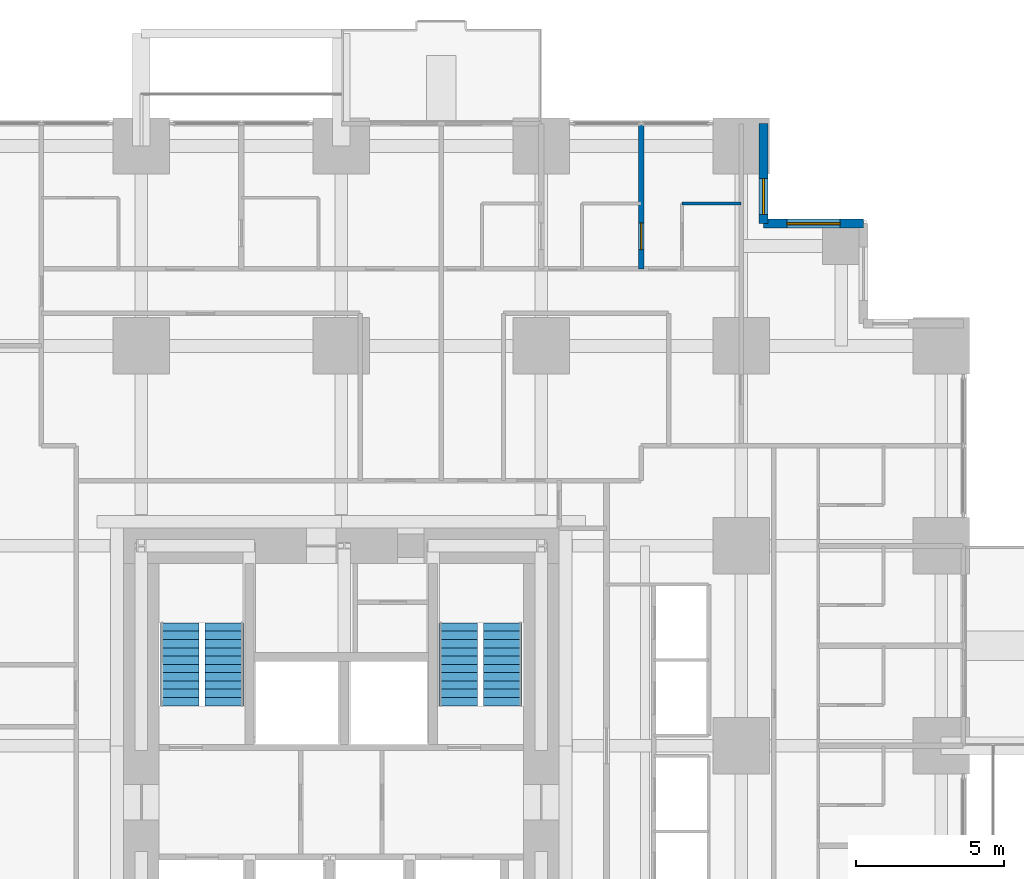
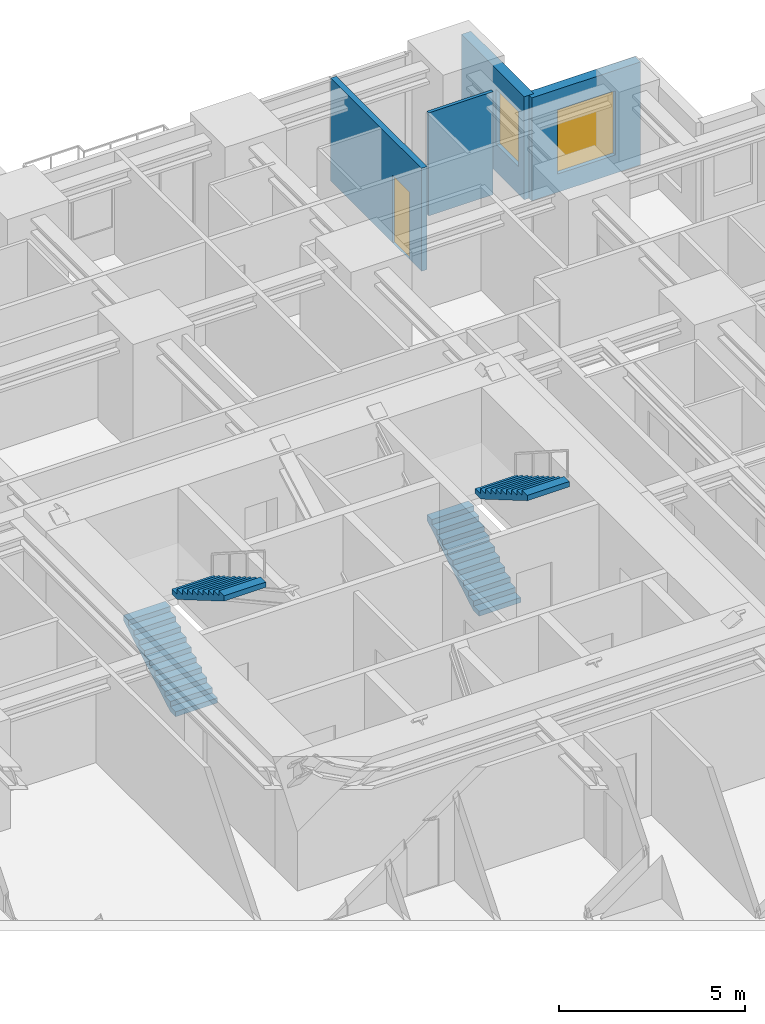
# One storey, part 14 of 15: 4 stair flights, 4 walls, 2 windows, 1 door, 3 openings, 2 elements without a shape of their own.
"""IFC4 building model written with IfcOpenShell, lengths in metres."""

from ifc_helpers import new_model, si_unit, direction, frame, frame_2d, origin, place, context, subcontext, project, spatial, polyline, rectangle, outline, extrude, material, layer, layer_set, type_object, element, fill, aggregate, save


model = new_model("IFC4")

# Units and contexts
model_context = context("Model", 3, precision=1e-05, world=origin(), true_north=direction((0.0, 1.0)))
body_context = subcontext(model_context, "Body", "Model", "MODEL_VIEW")
ifc_project = project(units=[si_unit("LENGTHUNIT", "METRE"), si_unit("AREAUNIT", "SQUARE_METRE"), si_unit("VOLUMEUNIT", "CUBIC_METRE"), si_unit("PLANEANGLEUNIT", "RADIAN"), si_unit("MASSUNIT", "GRAM", prefix="KILO")], contexts=[model_context])

# Site, building, storey
site_placement = place(None, origin())
site = spatial("IfcSite", under=ifc_project, at=site_placement, CompositionType="ELEMENT")
building_placement = place(site_placement, origin())
building = spatial("IfcBuilding", under=site, at=building_placement, Name="Nyansa Garden Tower", CompositionType="ELEMENT")
storey_placement = place(building_placement, frame((0.0, 0.0, 36.0)))
storey = spatial("IfcBuildingStorey", under=building, at=storey_placement, Name="L09", CompositionType="ELEMENT", Elevation=36.0)

# Wall, opening, door
ifc_material_1 = material(Name="Dense blockwork, plastered both sides, 55 dB", Category="masonry")
ifc_layer_1 = layer(ifc_material_1, 0.175048828125)
ifc_layer_set_1 = layer_set([ifc_layer_1], Name="Acoustic party wall PW175")
wall_type_1 = type_object("IfcWallType", Name="Acoustic party wall PW175", PredefinedType="PARTITIONING", material=ifc_layer_set_1)
wall_1_placement = place(storey_placement, frame((30.375, 36.35009765625, 0.0), z_axis=(0.0, 0.0, 1.0), x_axis=(0.0, 1.0, 0.0)))
wall_1 = element("IfcWall", 1, at=wall_1_placement, inside=storey, type_object=wall_type_1, Name="Party wall", PredefinedType="PARTITIONING", context=body_context, shape_type="SweptSolid", body=[
    extrude(rectangle(XDim=4.8837890625, YDim=0.175048828125, at=frame_2d((2.44189453125, 0.0))), origin(), (0.0, 0.0, 1.0), 3.375),
])
opening_1_placement = place(wall_1_placement, frame((0.64990234375, 0.0, 0.0)))
opening_1 = element("IfcOpeningElement", 2, at=opening_1_placement, cuts=wall_1, Name="Opening D02", PredefinedType="OPENING", context=body_context, shape_type="SweptSolid", body=[
    extrude(rectangle(XDim=0.89990234375, YDim=2.199951171875, at=frame_2d((0.449951171875, 1.10009765625))), frame((0.0, 0.097412109375, 0.0), z_axis=(0.0, -1.0, 0.0), x_axis=(1.0, 0.0, 0.0)), (0.0, 0.0, 1.0), 0.195068359375),
])
ifc_material_2 = material(Name="Timber flush door", Category="wood")
door_type = type_object("IfcDoorType", Name="En-suite door D02 900x2200", OperationType="SINGLE_SWING_RIGHT", PredefinedType="DOOR", material=ifc_material_2)
door_placement = place(opening_1_placement, origin())
door = element("IfcDoor", 3, at=door_placement, inside=storey, type_object=door_type, Name="Door L09-058", OperationType="SINGLE_SWING_RIGHT", OverallHeight=2.199951171875, OverallWidth=0.89990234375, PredefinedType="DOOR", context=body_context, shape_type="SweptSolid", body=[
    extrude(rectangle(XDim=0.89990234375, YDim=2.199951171875, at=frame_2d((0.449951171875, 1.10009765625))), frame((0.0, 0.02490234375, 0.0), z_axis=(0.0, -1.0, 0.0), x_axis=(1.0, 0.0, 0.0)), (0.0, 0.0, 1.0), 0.050048828125),
])
fill(opening_1, door)

# Wall, opening, window
ifc_material_3 = material(Name="Turquoise glazed tile on concrete blockwork", Category="masonry")
ifc_layer_2 = layer(ifc_material_3, 0.300048828125)
ifc_layer_set_2 = layer_set([ifc_layer_2], Name="Tiled corner wall TW300")
wall_type_2 = type_object("IfcWallType", Name="Tiled corner wall TW300", PredefinedType="SOLIDWALL", material=ifc_layer_set_2)
wall_2_placement = place(storey_placement, frame((37.875, 37.875, 0.0), z_axis=(0.0, 0.0, 1.0), x_axis=(-1.0, 0.0, 0.0)))
wall_2 = element("IfcWall", 4, at=wall_2_placement, inside=storey, type_object=wall_type_2, Name="Tiled corner wall L09", PredefinedType="SOLIDWALL", context=body_context, shape_type="SweptSolid", body=[
    extrude(rectangle(XDim=3.375, YDim=0.300048828125, at=frame_2d((1.6875, 0.0))), origin(), (0.0, 0.0, 1.0), 3.375),
])
opening_2_placement = place(wall_2_placement, frame((0.78759765625, 0.0, 0.60009765625)))
opening_2 = element("IfcOpeningElement", 5, at=opening_2_placement, cuts=wall_2, Name="Opening W2", PredefinedType="OPENING", context=body_context, shape_type="SweptSolid", body=[
    extrude(rectangle(XDim=1.800048828125, YDim=2.10009765625, at=frame_2d((0.89990234375, 1.050048828125))), frame((0.0, 0.159912109375, 0.0), z_axis=(0.0, -1.0, 0.0), x_axis=(1.0, 0.0, 0.0)), (0.0, 0.0, 1.0), 0.320068359375),
])
ifc_material_4 = material(Name="Black aluminium frame, dark tinted double glazing", Category="aluminium")
window_type_1 = type_object("IfcWindowType", Name="Window W2 1800x2100", PartitioningType="SINGLE_PANEL", PredefinedType="WINDOW", material=ifc_material_4)
window_1_placement = place(opening_2_placement, origin())
window_1 = element("IfcWindow", 6, at=window_1_placement, inside=storey, type_object=window_type_1, Name="Corner window L09", OverallHeight=2.10009765625, OverallWidth=1.800048828125, PartitioningType="SINGLE_PANEL", PredefinedType="WINDOW", context=body_context, shape_type="SweptSolid", body=[
    extrude(rectangle(XDim=1.800048828125, YDim=2.10009765625, at=frame_2d((0.89990234375, 1.050048828125))), frame((0.0, 0.030029296875, 0.0), z_axis=(0.0, -1.0, 0.0), x_axis=(1.0, 0.0, 0.0)), (0.0, 0.0, 1.0), 0.06005859375),
])
fill(opening_2, window_1)

wall_3_placement = place(storey_placement, frame((34.5, 37.875, 0.0), z_axis=(0.0, 0.0, 1.0), x_axis=(0.0, 1.0, 0.0)))
wall_3 = element("IfcWall", 7, at=wall_3_placement, inside=storey, type_object=wall_type_2, Name="Tiled corner wall L09", PredefinedType="SOLIDWALL", context=body_context, shape_type="SweptSolid", body=[
    extrude(rectangle(XDim=3.375, YDim=0.300048828125, at=frame_2d((1.6875, 0.0))), origin(), (0.0, 0.0, 1.0), 3.375),
])
opening_3_placement = place(wall_3_placement, frame((0.3173828125, 0.0, 0.89990234375)))
opening_3 = element("IfcOpeningElement", 8, at=opening_3_placement, cuts=wall_3, Name="Opening W4", PredefinedType="OPENING", context=body_context, shape_type="SweptSolid", body=[
    extrude(rectangle(XDim=1.199951171875, YDim=1.800048828125, at=frame_2d((0.60009765625, 0.89990234375))), frame((0.0, 0.159912109375, 0.0), z_axis=(0.0, -1.0, 0.0), x_axis=(1.0, 0.0, 0.0)), (0.0, 0.0, 1.0), 0.320068359375),
])
ifc_material_5 = material(Name="Black aluminium frame, dark tinted double glazing", Category="aluminium")
window_type_2 = type_object("IfcWindowType", Name="Window W4 1200x1800", PartitioningType="SINGLE_PANEL", PredefinedType="WINDOW", material=ifc_material_5)
window_2_placement = place(opening_3_placement, origin())
window_2 = element("IfcWindow", 9, at=window_2_placement, inside=storey, type_object=window_type_2, Name="Corner window L09", OverallHeight=1.800048828125, OverallWidth=1.199951171875, PartitioningType="SINGLE_PANEL", PredefinedType="WINDOW", context=body_context, shape_type="SweptSolid", body=[
    extrude(rectangle(XDim=1.199951171875, YDim=1.800048828125, at=frame_2d((0.60009765625, 0.89990234375))), frame((0.0, 0.030029296875, 0.0), z_axis=(0.0, -1.0, 0.0), x_axis=(1.0, 0.0, 0.0)), (0.0, 0.0, 1.0), 0.06005859375),
])
fill(opening_3, window_2)

# Wall
ifc_material_6 = material(Name="Moisture resistant board on steel studs, tiled", Category="steel")
ifc_layer_3 = layer(ifc_material_6, 0.10009765625)
ifc_layer_set_3 = layer_set([ifc_layer_3], Name="Wet wall PW100")
wall_type_3 = type_object("IfcWallType", Name="Wet wall PW100", PredefinedType="PARTITIONING", material=ifc_layer_set_3)
wall_4_placement = place(storey_placement, frame((31.75, 38.550048828125, 0.0), z_axis=(0.0, 0.0, 1.0), x_axis=(1.0, 0.0, 0.0)))
element("IfcWall", 10, at=wall_4_placement, inside=storey, type_object=wall_type_3, Name="Wet wall", PredefinedType="PARTITIONING", context=body_context, shape_type="SweptSolid", body=[
    extrude(rectangle(XDim=2.0, YDim=0.10009765625, at=frame_2d((1.0, 0.0))), origin(), (0.0, 0.0, 1.0), 3.375),
])

# Stair, stair flights
ifc_material_7 = material(Name="Precast concrete C40/50", Category="concrete")
stair_type_1 = type_object("IfcStairType", Name="Stair S1 164x280", PredefinedType="HALF_TURN_STAIR", material=ifc_material_7)
stair_1_placement = place(storey_placement, origin())
stair_1 = element("IfcStair", 11, at=stair_1_placement, inside=storey, type_object=stair_type_1, Name="Stair S1 L09", PredefinedType="HALF_TURN_STAIR")
ifc_material_8 = material(Name="Precast concrete C40/50", Category="concrete")
stair_flight_type_1 = type_object("IfcStairFlightType", Name="Stair flight S1 164x280x11", PredefinedType="STRAIGHT", material=ifc_material_8)
stair_flight_1_placement = place(storey_placement, frame((14.800048828125, 21.60009765625, 0.0), z_axis=(0.0, 0.0, 1.0), x_axis=(0.0, 1.0, 0.0)))
stair_flight_1 = element("IfcStairFlight", 12, at=stair_flight_1_placement, type_object=stair_flight_type_1, Name="S1 flight 1", NumberOfRisers=11, NumberOfTreads=10, PredefinedType="STRAIGHT", RiserHeight=0.163636364, TreadLength=0.28, context=body_context, shape_type="SweptSolid", body=[
    extrude(outline(polyline([(0.0, 0.0), (0.0, 0.16357421875), (0.280029296875, 0.16357421875), (0.280029296875, 0.327392578125), (0.56005859375, 0.327392578125), (0.56005859375, 0.490966796875), (0.840087890625, 0.490966796875), (0.840087890625, 0.654541015625), (1.1201171875, 0.654541015625), (1.1201171875, 0.818115234375), (1.39990234375, 0.818115234375), (1.39990234375, 0.98193359375), (1.679931640625, 0.98193359375), (1.679931640625, 1.1455078125), (1.9599609375, 1.1455078125), (1.9599609375, 1.30908203125), (2.239990234375, 1.30908203125), (2.239990234375, 1.47265625), (2.52001953125, 1.47265625), (2.52001953125, 1.636474609375), (2.800048828125, 1.636474609375), (2.800048828125, 1.800048828125), (2.800048828125, 1.462646484375), (0.297119140625, 0.0), (0.0, 0.0)])), frame((0.0, 0.64990234375, 0.0), z_axis=(0.0, -1.0, 0.0), x_axis=(1.0, 0.0, 0.0)), (0.0, 0.0, 1.0), 1.300048828125),
])
stair_flight_2_placement = place(storey_placement, frame((16.300048828125, 24.39990234375, 1.800048828125), z_axis=(0.0, 0.0, 1.0), x_axis=(0.0, -1.0, 0.0)))
stair_flight_2 = element("IfcStairFlight", 13, at=stair_flight_2_placement, type_object=stair_flight_type_1, Name="S1 flight 2", NumberOfRisers=11, NumberOfTreads=10, PredefinedType="STRAIGHT", RiserHeight=0.163636364, TreadLength=0.28, context=body_context, shape_type="SweptSolid", body=[
    extrude(outline(polyline([(0.0, 0.0), (0.0, 0.16357421875), (0.280029296875, 0.16357421875), (0.280029296875, 0.327392578125), (0.56005859375, 0.327392578125), (0.56005859375, 0.490966796875), (0.840087890625, 0.490966796875), (0.840087890625, 0.654541015625), (1.1201171875, 0.654541015625), (1.1201171875, 0.818115234375), (1.39990234375, 0.818115234375), (1.39990234375, 0.98193359375), (1.679931640625, 0.98193359375), (1.679931640625, 1.1455078125), (1.9599609375, 1.1455078125), (1.9599609375, 1.30908203125), (2.239990234375, 1.30908203125), (2.239990234375, 1.47265625), (2.52001953125, 1.47265625), (2.52001953125, 1.636474609375), (2.800048828125, 1.636474609375), (2.800048828125, 1.800048828125), (2.800048828125, 1.462646484375), (0.297119140625, 0.0), (0.0, 0.0)])), frame((0.0, 0.64990234375, 0.0), z_axis=(0.0, -1.0, 0.0), x_axis=(1.0, 0.0, 0.0)), (0.0, 0.0, 1.0), 1.300048828125),
])
aggregate(stair_1, [stair_flight_1, stair_flight_2])

ifc_material_9 = material(Name="Precast concrete C40/50", Category="concrete")
stair_type_2 = type_object("IfcStairType", Name="Stair S2 164x280", PredefinedType="HALF_TURN_STAIR", material=ifc_material_9)
stair_2_placement = place(storey_placement, origin())
stair_2 = element("IfcStair", 14, at=stair_2_placement, inside=storey, type_object=stair_type_2, Name="Stair S2 L09", PredefinedType="HALF_TURN_STAIR")
ifc_material_10 = material(Name="Precast concrete C40/50", Category="concrete")
stair_flight_type_2 = type_object("IfcStairFlightType", Name="Stair flight S2 164x280x11", PredefinedType="STRAIGHT", material=ifc_material_10)
stair_flight_3_placement = place(storey_placement, frame((24.199951171875, 21.60009765625, 0.0), z_axis=(0.0, 0.0, 1.0), x_axis=(0.0, 1.0, 0.0)))
stair_flight_3 = element("IfcStairFlight", 15, at=stair_flight_3_placement, type_object=stair_flight_type_2, Name="S2 flight 1", NumberOfRisers=11, NumberOfTreads=10, PredefinedType="STRAIGHT", RiserHeight=0.163636364, TreadLength=0.28, context=body_context, shape_type="SweptSolid", body=[
    extrude(outline(polyline([(0.0, 0.0), (0.0, 0.16357421875), (0.280029296875, 0.16357421875), (0.280029296875, 0.327392578125), (0.56005859375, 0.327392578125), (0.56005859375, 0.490966796875), (0.840087890625, 0.490966796875), (0.840087890625, 0.654541015625), (1.1201171875, 0.654541015625), (1.1201171875, 0.818115234375), (1.39990234375, 0.818115234375), (1.39990234375, 0.98193359375), (1.679931640625, 0.98193359375), (1.679931640625, 1.1455078125), (1.9599609375, 1.1455078125), (1.9599609375, 1.30908203125), (2.239990234375, 1.30908203125), (2.239990234375, 1.47265625), (2.52001953125, 1.47265625), (2.52001953125, 1.636474609375), (2.800048828125, 1.636474609375), (2.800048828125, 1.800048828125), (2.800048828125, 1.462646484375), (0.297119140625, 0.0), (0.0, 0.0)])), frame((0.0, 0.64990234375, 0.0), z_axis=(0.0, -1.0, 0.0), x_axis=(1.0, 0.0, 0.0)), (0.0, 0.0, 1.0), 1.300048828125),
])
stair_flight_4_placement = place(storey_placement, frame((25.699951171875, 24.39990234375, 1.800048828125), z_axis=(0.0, 0.0, 1.0), x_axis=(0.0, -1.0, 0.0)))
stair_flight_4 = element("IfcStairFlight", 16, at=stair_flight_4_placement, type_object=stair_flight_type_2, Name="S2 flight 2", NumberOfRisers=11, NumberOfTreads=10, PredefinedType="STRAIGHT", RiserHeight=0.163636364, TreadLength=0.28, context=body_context, shape_type="SweptSolid", body=[
    extrude(outline(polyline([(0.0, 0.0), (0.0, 0.16357421875), (0.280029296875, 0.16357421875), (0.280029296875, 0.327392578125), (0.56005859375, 0.327392578125), (0.56005859375, 0.490966796875), (0.840087890625, 0.490966796875), (0.840087890625, 0.654541015625), (1.1201171875, 0.654541015625), (1.1201171875, 0.818115234375), (1.39990234375, 0.818115234375), (1.39990234375, 0.98193359375), (1.679931640625, 0.98193359375), (1.679931640625, 1.1455078125), (1.9599609375, 1.1455078125), (1.9599609375, 1.30908203125), (2.239990234375, 1.30908203125), (2.239990234375, 1.47265625), (2.52001953125, 1.47265625), (2.52001953125, 1.636474609375), (2.800048828125, 1.636474609375), (2.800048828125, 1.800048828125), (2.800048828125, 1.462646484375), (0.297119140625, 0.0), (0.0, 0.0)])), frame((0.0, 0.64990234375, 0.0), z_axis=(0.0, -1.0, 0.0), x_axis=(1.0, 0.0, 0.0)), (0.0, 0.0, 1.0), 1.300048828125),
])
aggregate(stair_2, [stair_flight_3, stair_flight_4])

save(model, "model.ifc")
